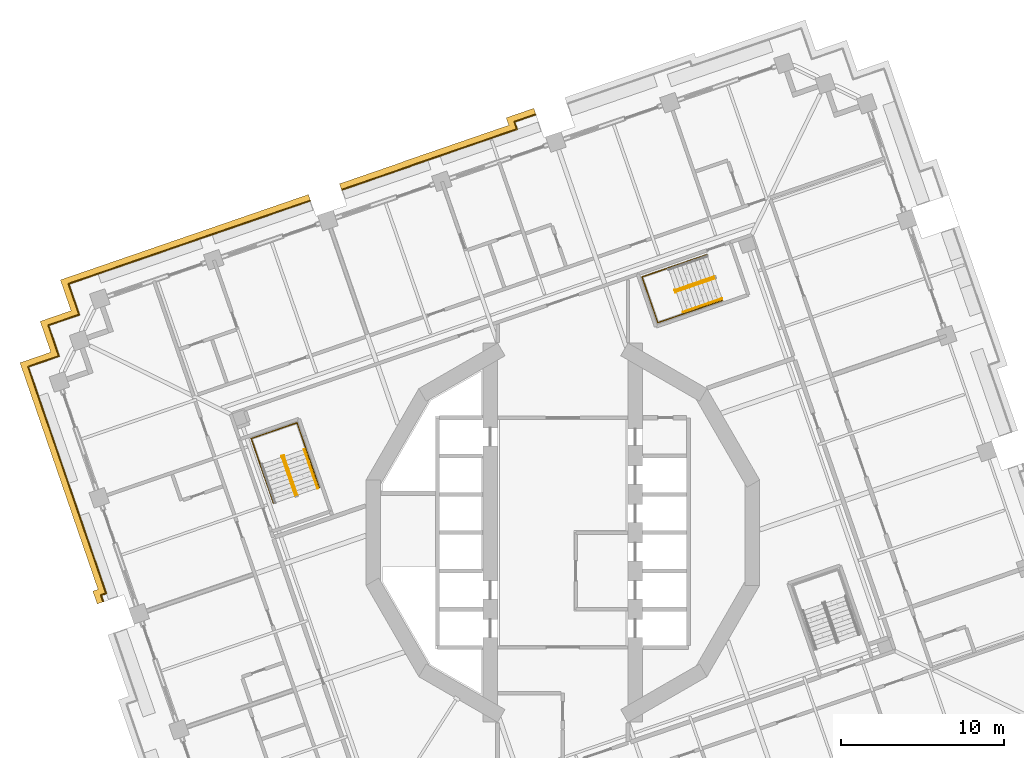
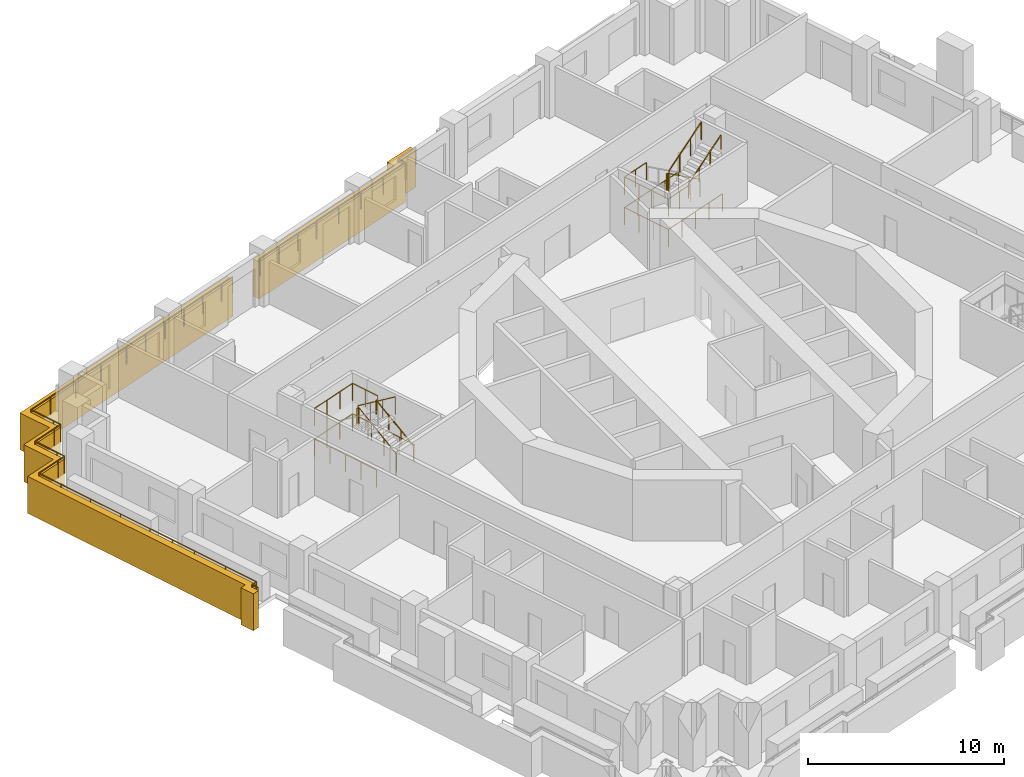
# One storey, part 16 of 19: 13 railings, 2 coverings.
"""IFC4 building model written with IfcOpenShell, lengths in metres."""

import ifcopenshell
import ifcopenshell.guid

model = None  # the IFC model being written
_history = None  # IfcOwnerHistory: only IFC2X3 demands one
_inside = {}  # id of a spatial element -> (the spatial element, [elements in it])
_under = {}  # id of a project, library or spatial element -> (it, [spatial elements below it])
_declared = {}  # id of a project -> (the project, [libraries it declares])
_typed = {}  # id of a type object -> (the type object, [elements of that type])
_made_of = {}  # id of a material, layer set ... -> (it, [elements and type objects made of it])


def new_model(schema):
    """Start an empty IFC model of exactly this schema.

    Asked for "IFC4X3", IfcOpenShell would pick the latest addendum, in which some entities
    have other attributes; the version numbers below select the first issue.
    IFC2X3 requires an IfcOwnerHistory on every rooted entity: one is made here for all.
    """
    global model, _history
    if schema == "IFC4X3":
        model = ifcopenshell.file(schema_version=(4, 3, 0, 0))
    else:
        model = ifcopenshell.file(schema=schema)
    _inside.clear()
    _under.clear()
    _declared.clear()
    _typed.clear()
    _made_of.clear()
    _history = None
    if model.schema == "IFC2X3":
        org = make("IfcOrganization", Name="unknown")
        user = make(
            "IfcPersonAndOrganization",
            ThePerson=make("IfcPerson", FamilyName="unknown"),
            TheOrganization=org,
        )
        app = make(
            "IfcApplication",
            ApplicationDeveloper=org,
            Version="unknown",
            ApplicationFullName="unknown",
            ApplicationIdentifier="unknown",
        )
        _history = make(
            "IfcOwnerHistory",
            OwningUser=user,
            OwningApplication=app,
            ChangeAction="ADDED",
            CreationDate=0,
        )
    return model


def make(cls, **values):
    """One entity of the class cls with the attributes given. An attribute that is None is left unset."""
    return model.create_entity(
        cls, **{name: value for name, value in values.items() if value is not None}
    )


def rooted(cls, **values):
    """An entity with a GlobalId (a new one), such as an element, a storey or a relation."""
    return make(cls, GlobalId=ifcopenshell.guid.new(), OwnerHistory=_history, **values)


def si_unit(unit_type, name, prefix=None):
    """IfcSIUnit, for example si_unit("LENGTHUNIT", "METRE", prefix="MILLI")."""
    return make("IfcSIUnit", UnitType=unit_type, Prefix=prefix, Name=name)


def assignment(units):
    """IfcUnitAssignment: the units of a project."""
    return None if units is None else make("IfcUnitAssignment", Units=units)


def point(xyz):
    """IfcCartesianPoint."""
    return None if xyz is None else make("IfcCartesianPoint", Coordinates=xyz)


def direction(xyz):
    """IfcDirection."""
    return None if xyz is None else make("IfcDirection", DirectionRatios=xyz)


def frame(location, z_axis=None, x_axis=None):
    """IfcAxis2Placement3D, a coordinate frame: its origin and axes. An axis left out is left unset."""
    return make(
        "IfcAxis2Placement3D",
        Location=point(location),
        Axis=direction(z_axis),
        RefDirection=direction(x_axis),
    )


def frame_2d(location, x_axis=None):
    """IfcAxis2Placement2D, a coordinate frame in the plane: its origin and x axis."""
    return make(
        "IfcAxis2Placement2D", Location=point(location), RefDirection=direction(x_axis)
    )


def origin():
    """The frame at (0, 0, 0) with its axes left unset."""
    return frame((0.0, 0.0, 0.0))


def origin_2d():
    """The frame at (0, 0) in the plane with its x axis left unset."""
    return frame_2d((0.0, 0.0))


def place(relative_to, where):
    """IfcLocalPlacement: puts the frame where relative to a parent placement (None: the world)."""
    return make(
        "IfcLocalPlacement", PlacementRelTo=relative_to, RelativePlacement=where
    )


def context(
    kind, dimensions, precision=None, world=None, true_north=None, identifier=None
):
    """IfcGeometricRepresentationContext, for example the 3D "Model" context."""
    return make(
        "IfcGeometricRepresentationContext",
        ContextIdentifier=identifier,
        ContextType=kind,
        CoordinateSpaceDimension=dimensions,
        Precision=precision,
        WorldCoordinateSystem=world,
        TrueNorth=true_north,
    )


def subcontext(parent, identifier, kind, view, scale=None):
    """IfcGeometricRepresentationSubContext, for example "Body" below "Model"."""
    return make(
        "IfcGeometricRepresentationSubContext",
        ContextIdentifier=identifier,
        ContextType=kind,
        ParentContext=parent,
        TargetScale=scale,
        TargetView=view,
    )


def project(units=None, contexts=None):
    """IfcProject with its units and contexts."""
    return rooted(
        "IfcProject",
        Name="project",
        RepresentationContexts=contexts,
        UnitsInContext=assignment(units),
    )


def spatial(cls, under=None, at=None, **own):
    """A site, building, storey or space (cls), placed at a placement, below another one or the project."""
    s = rooted(cls, ObjectPlacement=at, **own)
    if under is not None:
        _under.setdefault(under.id(), (under, []))[1].append(s)
    return s


def polyline(points):
    """IfcPolyline through the points."""
    return make("IfcPolyline", Points=[point(p) for p in points])


def profile(cls, at=None, kind="AREA", **sizes):
    """A parametric profile (cls). Its sizes go by their IFC names, for example OverallWidth=200.0."""
    return make(cls, ProfileType=kind, Position=at, **sizes)


def circle(**sizes):
    """IfcCircleProfileDef."""
    return profile("IfcCircleProfileDef", **sizes)


def outline(outer, holes=None, kind="AREA"):
    """IfcArbitraryClosedProfileDef: a profile drawn as a closed curve; with holes, ...WithVoids."""
    if holes is None:
        return make("IfcArbitraryClosedProfileDef", ProfileType=kind, OuterCurve=outer)
    return make(
        "IfcArbitraryProfileDefWithVoids",
        ProfileType=kind,
        OuterCurve=outer,
        InnerCurves=holes,
    )


def extrude(swept, where, along, depth):
    """IfcExtrudedAreaSolid: the profile swept, set in the frame where, extruded along a direction by depth."""
    return make(
        "IfcExtrudedAreaSolid",
        SweptArea=swept,
        Position=where,
        ExtrudedDirection=direction(along),
        Depth=depth,
    )


def shape(context_of_items, identifier, shape_type, items):
    """IfcShapeRepresentation: the items that make up one representation, for example the "Body"."""
    return make(
        "IfcShapeRepresentation",
        ContextOfItems=context_of_items,
        RepresentationIdentifier=identifier,
        RepresentationType=shape_type,
        Items=items,
    )


def material(Name=None, Category=None):
    """IfcMaterial."""
    return make("IfcMaterial", Name=Name, Category=Category)


def made_of(thing, what):
    """Note that an element or type object is made of a material, layer set ...; save() writes the relation."""
    if what is not None:
        _made_of.setdefault(what.id(), (what, []))[1].append(thing)
    return thing


def type_object(cls, material=None, **own):
    """A type object (cls), such as IfcWallType, which elements share."""
    return made_of(rooted(cls, **own), material)


def element(
    cls,
    number,
    at=None,
    inside=None,
    cuts=None,
    type_object=None,
    material=None,
    context=None,
    identifier="Body",
    shape_type=None,
    held_by="IfcProductDefinitionShape",
    body=None,
    shapes=None,
    **own,
):
    """One element of the class cls, such as IfcWall. Its Tag is "e" and its number.

    at: its placement. inside: the storey or other place that contains it. cuts: it is an
    opening in that element (IfcRelVoidsElement). A single representation is given by context,
    identifier, shape_type and body (its items); several are given by shapes. held_by: the class
    of the entity that holds the representations. save() writes the other relations.
    """
    e = rooted(cls, Tag="e%d" % number, ObjectPlacement=at, **own)
    if body is not None:
        shapes = [shape(context, identifier, shape_type, body)]
    if shapes is not None:
        e.Representation = make(held_by, Representations=shapes)
    if inside is not None:
        _inside.setdefault(inside.id(), (inside, []))[1].append(e)
    if cuts is not None:
        rooted(
            "IfcRelVoidsElement", RelatingBuildingElement=cuts, RelatedOpeningElement=e
        )
    if type_object is not None:
        _typed.setdefault(type_object.id(), (type_object, []))[1].append(e)
    return made_of(e, material)


def aggregate(whole, parts):
    """IfcRelAggregates: a whole, such as a stair, and the parts it consists of."""
    return rooted("IfcRelAggregates", RelatingObject=whole, RelatedObjects=parts)


def save(model, path):
    """Write the relations noted so far, then the file.

    IfcRelAggregates (storeys below a building ...), IfcRelContainedInSpatialStructure (elements
    in a storey), IfcRelDefinesByType, IfcRelAssociatesMaterial and IfcRelDeclares: one each for
    every whole, place, type object, material and project.
    """
    for whole, parts in _under.values():
        aggregate(whole, parts)
    for where, things in _inside.values():
        rooted(
            "IfcRelContainedInSpatialStructure",
            RelatedElements=things,
            RelatingStructure=where,
        )
    for kind, things in _typed.values():
        rooted("IfcRelDefinesByType", RelatedObjects=things, RelatingType=kind)
    for what, things in _made_of.values():
        rooted("IfcRelAssociatesMaterial", RelatedObjects=things, RelatingMaterial=what)
    for by, libraries in _declared.values():
        rooted("IfcRelDeclares", RelatingContext=by, RelatedDefinitions=libraries)
    model.write(path)


model = new_model("IFC4")

# Units and contexts
model_context = context("Model", 3, precision=1e-05, world=origin(), true_north=direction((0.0, 1.0)))
body_context = subcontext(model_context, "Body", "Model", "MODEL_VIEW")
ifc_project = project(units=[si_unit("LENGTHUNIT", "METRE"), si_unit("AREAUNIT", "SQUARE_METRE"), si_unit("VOLUMEUNIT", "CUBIC_METRE"), si_unit("PLANEANGLEUNIT", "RADIAN"), si_unit("MASSUNIT", "GRAM", prefix="KILO")], contexts=[model_context])

# Site, building, storey
site_placement = place(None, origin())
site = spatial("IfcSite", under=ifc_project, at=site_placement, CompositionType="ELEMENT")
building_placement = place(site_placement, origin())
building = spatial("IfcBuilding", under=site, at=building_placement, Name="Cantera Rosa Tower", CompositionType="ELEMENT")
storey_placement = place(building_placement, frame((0.0, 0.0, 111.699951171875)))
storey = spatial("IfcBuildingStorey", under=building, at=storey_placement, Name="L22", CompositionType="ELEMENT", Elevation=111.699951171875)

# Railings
ifc_material_1 = material(Name="Stainless steel and laminated glass", Category="steel")
railing_type_1 = type_object("IfcRailingType", Name="GUARD 1100", PredefinedType="BALUSTRADE", material=ifc_material_1)
railing_1_placement = place(storey_placement, frame((-29.6689453125, 13.369140625, 0.0)))
element("IfcRailing", 1, at=railing_1_placement, inside=storey, type_object=railing_type_1, Name="GUARD L22-7", PredefinedType="BALUSTRADE", context=body_context, shape_type="SweptSolid", body=[
    extrude(circle(Radius=0.030029296875, at=origin_2d()), frame((0.0, 0.0, 1.070068359375), z_axis=(-0.32573481536, 0.945461173218, 0.0), x_axis=(-0.945461173218, -0.32573481536, 0.0)), (0.0, 0.0, 1.0), 0.5),
    extrude(circle(Radius=0.030029296875, at=origin_2d()), frame((-0.162841796875, 0.47265625, 1.070068359375), z_axis=(-0.325489086777, 0.945545797087, 0.0), x_axis=(-0.945545797087, -0.325489086777, 0.0)), (0.0, 0.0, 1.0), 1.500244140625),
    extrude(circle(Radius=0.030029296875, at=origin_2d()), frame((-0.651123046875, 1.89111328125, 1.070068359375), z_axis=(0.945528551438, 0.325539181077, 0.0), x_axis=(-0.325539181077, 0.945528551438, 0.0)), (0.0, 0.0, 1.0), 1.5),
    extrude(circle(Radius=0.030029296875, at=origin_2d()), frame((0.76708984375, 2.37939453125, 1.070068359375), z_axis=(0.945517123015, 0.325572373037, 0.0), x_axis=(-0.325572373037, 0.945517123015, 0.0)), (0.0, 0.0, 1.0), 5.900146484375),
    extrude(circle(Radius=0.030029296875, at=origin_2d()), frame((6.345703125, 4.30029296875, 1.070068359375), z_axis=(0.945528551438, 0.325539181077, 0.0), x_axis=(-0.325539181077, 0.945528551438, 0.0)), (0.0, 0.0, 1.0), 2.999755859375),
    extrude(circle(Radius=0.030029296875, at=origin_2d()), frame((9.18212890625, 5.27685546875, 1.070068359375), z_axis=(0.945513227049, 0.325583687361, 0.0), x_axis=(-0.325583687361, 0.945513227049, 0.0)), (0.0, 0.0, 1.0), 4.400146484375),
    extrude(circle(Radius=0.030029296875, at=origin_2d()), frame((13.342529296875, 6.70947265625, 1.070068359375), z_axis=(0.945522007901, 0.325558186158, 0.0), x_axis=(-0.325558186158, 0.945522007901, 0.0)), (0.0, 0.0, 1.0), 0.869873046875),
    extrude(circle(Radius=0.02490234375, at=origin_2d()), origin(), (0.0, 0.0, 1.0), 1.0400390625),
    extrude(circle(Radius=0.02490234375, at=origin_2d()), frame((-0.162841796875, 0.47265625, 0.0)), (0.0, 0.0, 1.0), 1.0400390625),
    extrude(circle(Radius=0.02490234375, at=origin_2d()), frame((-0.651123046875, 1.89111328125, 0.0)), (0.0, 0.0, 1.0), 1.0400390625),
    extrude(circle(Radius=0.02490234375, at=origin_2d()), frame((0.76708984375, 2.37939453125, 0.0)), (0.0, 0.0, 1.0), 1.0400390625),
    extrude(circle(Radius=0.02490234375, at=origin_2d()), frame((2.626708984375, 3.019775390625, 0.0)), (0.0, 0.0, 1.0), 1.0400390625),
    extrude(circle(Radius=0.02490234375, at=origin_2d()), frame((4.486083984375, 3.659912109375, 0.0)), (0.0, 0.0, 1.0), 1.0400390625),
    extrude(circle(Radius=0.02490234375, at=origin_2d()), frame((6.345703125, 4.30029296875, 0.0)), (0.0, 0.0, 1.0), 1.0400390625),
    extrude(circle(Radius=0.02490234375, at=origin_2d()), frame((7.763916015625, 4.78857421875, 0.0)), (0.0, 0.0, 1.0), 1.0400390625),
    extrude(circle(Radius=0.02490234375, at=origin_2d()), frame((9.18212890625, 5.27685546875, 0.0)), (0.0, 0.0, 1.0), 1.0400390625),
    extrude(circle(Radius=0.02490234375, at=origin_2d()), frame((10.56884765625, 5.75439453125, 0.0)), (0.0, 0.0, 1.0), 1.0400390625),
    extrude(circle(Radius=0.02490234375, at=origin_2d()), frame((11.955810546875, 6.23193359375, 0.0)), (0.0, 0.0, 1.0), 1.0400390625),
    extrude(circle(Radius=0.02490234375, at=origin_2d()), frame((13.342529296875, 6.70947265625, 0.0)), (0.0, 0.0, 1.0), 1.0400390625),
    extrude(circle(Radius=0.02490234375, at=origin_2d()), frame((14.1650390625, 6.99267578125, 0.0)), (0.0, 0.0, 1.0), 1.0400390625),
])
railing_2_placement = place(storey_placement, frame((-28.19873046875, -4.220458984375, 0.0)))
element("IfcRailing", 2, at=railing_2_placement, inside=storey, type_object=railing_type_1, Name="GUARD L22-8", PredefinedType="BALUSTRADE", context=body_context, shape_type="SweptSolid", body=[
    extrude(circle(Radius=0.030029296875, at=origin_2d()), frame((0.0, 0.0, 1.070068359375), z_axis=(-0.325583372222, 0.945513335566, 0.0), x_axis=(-0.945513335566, -0.325583372222, 0.0)), (0.0, 0.0, 1.0), 0.406494140625),
    extrude(circle(Radius=0.030029296875, at=origin_2d()), frame((-0.13232421875, 0.38427734375, 1.070068359375), z_axis=(0.945442357657, 0.325789423322, 0.0), x_axis=(-0.325789423322, 0.945442357657, 0.0)), (0.0, 0.0, 1.0), 0.33642578125),
    extrude(circle(Radius=0.030029296875, at=origin_2d()), frame((0.185791015625, 0.493896484375, 1.070068359375), z_axis=(-0.325578798078, 0.94551491064, 0.0), x_axis=(-0.94551491064, -0.325578798078, 0.0)), (0.0, 0.0, 1.0), 4.18359375),
    extrude(circle(Radius=0.030029296875, at=origin_2d()), frame((-1.17626953125, 4.449462890625, 1.070068359375), z_axis=(-0.325539181077, 0.945528551438, 0.0), x_axis=(-0.945528551438, -0.325539181077, 0.0)), (0.0, 0.0, 1.0), 2.999755859375),
    extrude(circle(Radius=0.030029296875, at=origin_2d()), frame((-2.15283203125, 7.285888671875, 1.070068359375), z_axis=(-0.325568215952, 0.945518554425, 0.0), x_axis=(-0.945518554425, -0.325568215952, 0.0)), (0.0, 0.0, 1.0), 6.02001953125),
    extrude(circle(Radius=0.030029296875, at=origin_2d()), frame((-4.11279296875, 12.97802734375, 1.070068359375), z_axis=(-0.325539181077, 0.945528551438, 0.0), x_axis=(-0.945528551438, -0.325539181077, 0.0)), (0.0, 0.0, 1.0), 1.5),
    extrude(circle(Radius=0.030029296875, at=origin_2d()), frame((-4.60107421875, 14.396240234375, 1.070068359375), z_axis=(0.945528551438, 0.325539181077, 0.0), x_axis=(-0.325539181077, 0.945528551438, 0.0)), (0.0, 0.0, 1.0), 1.5),
    extrude(circle(Radius=0.030029296875, at=origin_2d()), frame((-3.182861328125, 14.884521484375, 1.070068359375), z_axis=(0.945461173218, 0.32573481536, 0.0), x_axis=(-0.32573481536, 0.945461173218, 0.0)), (0.0, 0.0, 1.0), 0.5),
    extrude(circle(Radius=0.030029296875, at=origin_2d()), frame((-2.710205078125, 15.04736328125, 1.070068359375), z_axis=(-0.325147989177, 0.945663145699, 0.0), x_axis=(-0.945663145699, -0.325147989177, 0.0)), (0.0, 0.0, 1.0), 0.5),
    extrude(circle(Radius=0.030029296875, at=origin_2d()), frame((-2.872802734375, 15.520263671875, 1.070068359375), z_axis=(-0.325684689469, 0.945478441343, 0.0), x_axis=(-0.945478441343, -0.325684689469, 0.0)), (0.0, 0.0, 1.0), 1.5),
    extrude(circle(Radius=0.030029296875, at=origin_2d()), frame((-3.361328125, 16.9384765625, 1.070068359375), z_axis=(0.945545797087, 0.325489086777, 0.0), x_axis=(-0.325489086777, 0.945545797087, 0.0)), (0.0, 0.0, 1.0), 1.500244140625),
    extrude(circle(Radius=0.030029296875, at=origin_2d()), frame((-1.94287109375, 17.4267578125, 1.070068359375), z_axis=(0.945461173218, 0.32573481536, 0.0), x_axis=(-0.32573481536, 0.945461173218, 0.0)), (0.0, 0.0, 1.0), 0.5),
    extrude(circle(Radius=0.02490234375, at=origin_2d()), origin(), (0.0, 0.0, 1.0), 1.0400390625),
    extrude(circle(Radius=0.02490234375, at=origin_2d()), frame((-0.13232421875, 0.38427734375, 0.0)), (0.0, 0.0, 1.0), 1.0400390625),
    extrude(circle(Radius=0.02490234375, at=origin_2d()), frame((0.185791015625, 0.493896484375, 0.0)), (0.0, 0.0, 1.0), 1.0400390625),
    extrude(circle(Radius=0.02490234375, at=origin_2d()), frame((-0.4951171875, 2.4716796875, 0.0)), (0.0, 0.0, 1.0), 1.0400390625),
    extrude(circle(Radius=0.02490234375, at=origin_2d()), frame((-1.17626953125, 4.449462890625, 0.0)), (0.0, 0.0, 1.0), 1.0400390625),
    extrude(circle(Radius=0.02490234375, at=origin_2d()), frame((-1.66455078125, 5.86767578125, 0.0)), (0.0, 0.0, 1.0), 1.0400390625),
    extrude(circle(Radius=0.02490234375, at=origin_2d()), frame((-2.15283203125, 7.285888671875, 0.0)), (0.0, 0.0, 1.0), 1.0400390625),
    extrude(circle(Radius=0.02490234375, at=origin_2d()), frame((-2.80615234375, 9.183349609375, 0.0)), (0.0, 0.0, 1.0), 1.0400390625),
    extrude(circle(Radius=0.02490234375, at=origin_2d()), frame((-3.45947265625, 11.08056640625, 0.0)), (0.0, 0.0, 1.0), 1.0400390625),
    extrude(circle(Radius=0.02490234375, at=origin_2d()), frame((-4.11279296875, 12.97802734375, 0.0)), (0.0, 0.0, 1.0), 1.0400390625),
    extrude(circle(Radius=0.02490234375, at=origin_2d()), frame((-4.60107421875, 14.396240234375, 0.0)), (0.0, 0.0, 1.0), 1.0400390625),
    extrude(circle(Radius=0.02490234375, at=origin_2d()), frame((-3.182861328125, 14.884521484375, 0.0)), (0.0, 0.0, 1.0), 1.0400390625),
    extrude(circle(Radius=0.02490234375, at=origin_2d()), frame((-2.710205078125, 15.04736328125, 0.0)), (0.0, 0.0, 1.0), 1.0400390625),
    extrude(circle(Radius=0.02490234375, at=origin_2d()), frame((-2.872802734375, 15.520263671875, 0.0)), (0.0, 0.0, 1.0), 1.0400390625),
    extrude(circle(Radius=0.02490234375, at=origin_2d()), frame((-3.361328125, 16.9384765625, 0.0)), (0.0, 0.0, 1.0), 1.0400390625),
    extrude(circle(Radius=0.02490234375, at=origin_2d()), frame((-1.94287109375, 17.4267578125, 0.0)), (0.0, 0.0, 1.0), 1.0400390625),
    extrude(circle(Radius=0.02490234375, at=origin_2d()), frame((-1.47021484375, 17.589599609375, 0.0)), (0.0, 0.0, 1.0), 1.0400390625),
])
railing_3_placement = place(storey_placement, frame((-13.55615234375, 21.032470703125, 0.0)))
element("IfcRailing", 3, at=railing_3_placement, inside=storey, type_object=railing_type_1, Name="GUARD L22-9", PredefinedType="BALUSTRADE", context=body_context, shape_type="SweptSolid", body=[
    extrude(circle(Radius=0.030029296875, at=origin_2d()), frame((0.0, 0.0, 1.070068359375), z_axis=(0.946220044844, 0.323523765333, 0.0), x_axis=(-0.323523765333, 0.946220044844, 0.0)), (0.0, 0.0, 1.0), 0.070068359375),
    extrude(circle(Radius=0.030029296875, at=origin_2d()), frame((0.06640625, 0.022705078125, 1.070068359375), z_axis=(0.945513705783, 0.325582297087, 0.0), x_axis=(-0.325582297087, 0.945513705783, 0.0)), (0.0, 0.0, 1.0), 4.38525390625),
    extrude(circle(Radius=0.030029296875, at=origin_2d()), frame((4.212646484375, 1.450439453125, 1.070068359375), z_axis=(-0.331087713029, 0.943599982133, 0.0), x_axis=(-0.943599982133, -0.331087713029, 0.0)), (0.0, 0.0, 1.0), 0.0146484375),
    extrude(circle(Radius=0.030029296875, at=origin_2d()), frame((4.207763671875, 1.46435546875, 1.070068359375), z_axis=(0.945519949949, 0.32556416303, 0.0), x_axis=(-0.32556416303, 0.945519949949, 0.0)), (0.0, 0.0, 1.0), 6.91552734375),
    extrude(circle(Radius=0.030029296875, at=origin_2d()), frame((10.74658203125, 3.7158203125, 1.070068359375), z_axis=(-0.325586807373, 0.94551215268, 0.0), x_axis=(-0.94551215268, -0.325586807373, 0.0)), (0.0, 0.0, 1.0), 0.484375),
    extrude(circle(Radius=0.030029296875, at=origin_2d()), frame((10.5888671875, 4.173828125, 1.070068359375), z_axis=(0.94551689242, 0.325573042723, 0.0), x_axis=(-0.325573042723, 0.94551689242, 0.0)), (0.0, 0.0, 1.0), 1.369384765625),
    extrude(circle(Radius=0.02490234375, at=origin_2d()), origin(), (0.0, 0.0, 1.0), 1.0400390625),
    extrude(circle(Radius=0.02490234375, at=origin_2d()), frame((0.06640625, 0.022705078125, 0.0)), (0.0, 0.0, 1.0), 1.0400390625),
    extrude(circle(Radius=0.02490234375, at=origin_2d()), frame((1.448486328125, 0.49853515625, 0.0)), (0.0, 0.0, 1.0), 1.0400390625),
    extrude(circle(Radius=0.02490234375, at=origin_2d()), frame((2.83056640625, 0.974609375, 0.0)), (0.0, 0.0, 1.0), 1.0400390625),
    extrude(circle(Radius=0.02490234375, at=origin_2d()), frame((4.212646484375, 1.450439453125, 0.0)), (0.0, 0.0, 1.0), 1.0400390625),
    extrude(circle(Radius=0.02490234375, at=origin_2d()), frame((4.207763671875, 1.46435546875, 0.0)), (0.0, 0.0, 1.0), 1.0400390625),
    extrude(circle(Radius=0.02490234375, at=origin_2d()), frame((5.842529296875, 2.02734375, 0.0)), (0.0, 0.0, 1.0), 1.0400390625),
    extrude(circle(Radius=0.02490234375, at=origin_2d()), frame((7.47705078125, 2.590087890625, 0.0)), (0.0, 0.0, 1.0), 1.0400390625),
    extrude(circle(Radius=0.02490234375, at=origin_2d()), frame((9.11181640625, 3.15283203125, 0.0)), (0.0, 0.0, 1.0), 1.0400390625),
    extrude(circle(Radius=0.02490234375, at=origin_2d()), frame((10.74658203125, 3.7158203125, 0.0)), (0.0, 0.0, 1.0), 1.0400390625),
    extrude(circle(Radius=0.02490234375, at=origin_2d()), frame((10.5888671875, 4.173828125, 0.0)), (0.0, 0.0, 1.0), 1.0400390625),
    extrude(circle(Radius=0.02490234375, at=origin_2d()), frame((11.883544921875, 4.61962890625, 0.0)), (0.0, 0.0, 1.0), 1.0400390625),
])
ifc_material_2 = material(Name="Steel S355J2 (EN 10025-2)", Category="steel")
railing_type_2 = type_object("IfcRailingType", Name="STAIR GUARD 1100", PredefinedType="GUARDRAIL", material=ifc_material_2)
railing_4_placement = place(storey_placement, frame((9.307861328125, 15.7021484375, 0.18994140625)))
element("IfcRailing", 4, at=railing_4_placement, inside=storey, type_object=railing_type_2, Name="L22 ST-21 stair guard 1", PredefinedType="GUARDRAIL", context=body_context, shape_type="SweptSolid", body=[
    extrude(circle(Radius=0.02392578125, at=origin_2d()), frame((0.0, 0.0, 1.076171875), z_axis=(-0.782368949847, -0.269420291028, 0.561526075172), x_axis=(0.325599548996, -0.94550776501, 0.0)), (0.0, 0.0, 1.0), 3.045654296875),
    extrude(circle(Radius=0.02392578125, at=origin_2d()), frame((-2.3828125, -0.820556640625, 2.7861328125), z_axis=(-0.989063265047, 0.147491890402, 0.0), x_axis=(-0.147491890402, -0.989063265047, 0.0)), (0.0, 0.0, 1.0), 0.056396484375),
    extrude(circle(Radius=0.02392578125, at=origin_2d()), frame((-2.4384765625, -0.812255859375, 2.7861328125), z_axis=(0.325990683319, -0.945372981626, 0.0), x_axis=(0.945372981626, 0.325990683319, 0.0)), (0.0, 0.0, 1.0), 0.14990234375),
    extrude(circle(Radius=0.02099609375, at=origin_2d()), origin(), (0.0, 0.0, 1.0), 1.052001953125),
    extrude(circle(Radius=0.02099609375, at=origin_2d()), frame((-0.794189453125, -0.2734375, 0.570068359375)), (0.0, 0.0, 1.0), 1.052001953125),
    extrude(circle(Radius=0.02099609375, at=origin_2d()), frame((-1.588623046875, -0.547119140625, 1.14013671875)), (0.0, 0.0, 1.0), 1.052001953125),
    extrude(circle(Radius=0.02099609375, at=origin_2d()), frame((-2.3828125, -0.820556640625, 1.710205078125)), (0.0, 0.0, 1.0), 1.052001953125),
    extrude(circle(Radius=0.02099609375, at=origin_2d()), frame((-2.4384765625, -0.812255859375, 1.710205078125)), (0.0, 0.0, 1.0), 1.052001953125),
    extrude(circle(Radius=0.02099609375, at=origin_2d()), frame((-2.3896484375, -0.953857421875, 1.710205078125)), (0.0, 0.0, 1.0), 1.052001953125),
])
railing_5_placement = place(storey_placement, frame((6.95703125, 14.7890625, 2.090087890625)))
element("IfcRailing", 5, at=railing_5_placement, inside=storey, type_object=railing_type_2, Name="L22 ST-21 stair guard 2", PredefinedType="GUARDRAIL", context=body_context, shape_type="SweptSolid", body=[
    extrude(circle(Radius=0.02392578125, at=origin_2d()), frame((0.0, 0.0, 1.076171875), z_axis=(0.782389970342, 0.269374966733, 0.561518531845), x_axis=(-0.325542759796, 0.945527319301, 0.0)), (0.0, 0.0, 1.0), 3.045166015625),
    extrude(circle(Radius=0.02099609375, at=origin_2d()), origin(), (0.0, 0.0, 1.0), 1.052001953125),
    extrude(circle(Radius=0.02099609375, at=origin_2d()), frame((0.794189453125, 0.2734375, 0.570068359375)), (0.0, 0.0, 1.0), 1.052001953125),
    extrude(circle(Radius=0.02099609375, at=origin_2d()), frame((1.58837890625, 0.546875, 1.139892578125)), (0.0, 0.0, 1.0), 1.052001953125),
    extrude(circle(Radius=0.02099609375, at=origin_2d()), frame((2.382568359375, 0.8203125, 1.7099609375)), (0.0, 0.0, 1.0), 1.052001953125),
])
railing_6_placement = place(storey_placement, frame((8.828857421875, 17.055908203125, 0.0)))
element("IfcRailing", 6, at=railing_6_placement, inside=storey, type_object=railing_type_2, Name="L22 ST-21 stair guard 4", PredefinedType="GUARDRAIL", context=body_context, shape_type="SweptSolid", body=[
    extrude(circle(Radius=0.02392578125, at=origin_2d()), frame((0.0, 0.0, 1.076171875), z_axis=(-0.945519978022, -0.325564081496, 0.0), x_axis=(0.325564081496, -0.945519978022, 0.0)), (0.0, 0.0, 1.0), 4.197998046875),
    extrude(circle(Radius=0.02392578125, at=origin_2d()), frame((-3.96923828125, -1.36669921875, 1.076171875), z_axis=(0.325608117645, -0.945504814226, 0.0), x_axis=(0.945504814226, 0.325608117645, 0.0)), (0.0, 0.0, 1.0), 2.969970703125),
    extrude(circle(Radius=0.02392578125, at=origin_2d()), frame((-3.002197265625, -4.1748046875, 1.076171875), z_axis=(0.945519978022, 0.325564081496, 0.0), x_axis=(-0.325564081496, 0.945519978022, 0.0)), (0.0, 0.0, 1.0), 4.197998046875),
    extrude(circle(Radius=0.02099609375, at=origin_2d()), origin(), (0.0, 0.0, 1.0), 1.052001953125),
    extrude(circle(Radius=0.02099609375, at=origin_2d()), frame((-0.9921875, -0.341796875, 0.0)), (0.0, 0.0, 1.0), 1.052001953125),
    extrude(circle(Radius=0.02099609375, at=origin_2d()), frame((-1.984619140625, -0.683349609375, 0.0)), (0.0, 0.0, 1.0), 1.052001953125),
    extrude(circle(Radius=0.02099609375, at=origin_2d()), frame((-2.97705078125, -1.02490234375, 0.0)), (0.0, 0.0, 1.0), 1.052001953125),
    extrude(circle(Radius=0.02099609375, at=origin_2d()), frame((-3.96923828125, -1.36669921875, 0.0)), (0.0, 0.0, 1.0), 1.052001953125),
    extrude(circle(Radius=0.02099609375, at=origin_2d()), frame((-3.64697265625, -2.302734375, 0.0)), (0.0, 0.0, 1.0), 1.052001953125),
    extrude(circle(Radius=0.02099609375, at=origin_2d()), frame((-3.324462890625, -3.23876953125, 0.0)), (0.0, 0.0, 1.0), 1.052001953125),
    extrude(circle(Radius=0.02099609375, at=origin_2d()), frame((-3.002197265625, -4.1748046875, 0.0)), (0.0, 0.0, 1.0), 1.052001953125),
    extrude(circle(Radius=0.02099609375, at=origin_2d()), frame((-2.009765625, -3.8330078125, 0.0)), (0.0, 0.0, 1.0), 1.052001953125),
    extrude(circle(Radius=0.02099609375, at=origin_2d()), frame((-1.017578125, -3.491455078125, 0.0)), (0.0, 0.0, 1.0), 1.052001953125),
    extrude(circle(Radius=0.02099609375, at=origin_2d()), frame((-0.025390625, -3.14990234375, 0.0)), (0.0, 0.0, 1.0), 1.052001953125),
    extrude(circle(Radius=0.02099609375, at=origin_2d()), frame((0.967041015625, -2.80810546875, 0.0)), (0.0, 0.0, 1.0), 1.052001953125),
])
railing_7_placement = place(storey_placement, frame((6.468994140625, 16.243408203125, 1.900146484375)))
element("IfcRailing", 7, at=railing_7_placement, inside=storey, type_object=railing_type_2, Name="L22 ST-21 stair guard 5", PredefinedType="GUARDRAIL", context=body_context, shape_type="SweptSolid", body=[
    extrude(circle(Radius=0.02392578125, at=origin_2d()), frame((0.0, 0.0, 1.076171875), z_axis=(-0.94551008141, -0.32559282233, 0.0), x_axis=(0.32559282233, -0.94551008141, 0.0)), (0.0, 0.0, 1.0), 1.7021484375),
    extrude(circle(Radius=0.02392578125, at=origin_2d()), frame((-1.609375, -0.55419921875, 1.076171875), z_axis=(0.325608117645, -0.945504814226, 0.0), x_axis=(0.945504814226, 0.325608117645, 0.0)), (0.0, 0.0, 1.0), 2.969970703125),
    extrude(circle(Radius=0.02392578125, at=origin_2d()), frame((-0.642333984375, -3.3623046875, 1.076171875), z_axis=(0.945539033546, 0.325508734201, 0.0), x_axis=(-0.325508734201, 0.945539033546, 0.0)), (0.0, 0.0, 1.0), 1.701904296875),
    extrude(circle(Radius=0.02099609375, at=origin_2d()), origin(), (0.0, 0.0, 1.0), 1.052001953125),
    extrude(circle(Radius=0.02099609375, at=origin_2d()), frame((-0.8046875, -0.277099609375, 0.0)), (0.0, 0.0, 1.0), 1.052001953125),
    extrude(circle(Radius=0.02099609375, at=origin_2d()), frame((-1.609375, -0.55419921875, 0.0)), (0.0, 0.0, 1.0), 1.052001953125),
    extrude(circle(Radius=0.02099609375, at=origin_2d()), frame((-1.287109375, -1.490234375, 0.0)), (0.0, 0.0, 1.0), 1.052001953125),
    extrude(circle(Radius=0.02099609375, at=origin_2d()), frame((-0.964599609375, -2.42626953125, 0.0)), (0.0, 0.0, 1.0), 1.052001953125),
    extrude(circle(Radius=0.02099609375, at=origin_2d()), frame((-0.642333984375, -3.3623046875, 0.0)), (0.0, 0.0, 1.0), 1.052001953125),
    extrude(circle(Radius=0.02099609375, at=origin_2d()), frame((0.162109375, -3.08544921875, 0.0)), (0.0, 0.0, 1.0), 1.052001953125),
    extrude(circle(Radius=0.02099609375, at=origin_2d()), frame((0.966796875, -2.808349609375, 0.0)), (0.0, 0.0, 1.0), 1.052001953125),
])
railing_8_placement = place(storey_placement, frame((-16.2978515625, 2.292236328125, 0.18994140625)))
element("IfcRailing", 8, at=railing_8_placement, inside=storey, type_object=railing_type_2, Name="L22 ST-22 stair guard 1", PredefinedType="GUARDRAIL", context=body_context, shape_type="SweptSolid", body=[
    extrude(circle(Radius=0.02392578125, at=origin_2d()), frame((0.0, 0.0, 1.076171875), z_axis=(-0.269420291028, 0.782368949847, 0.561526075172), x_axis=(-0.94550776501, -0.325599548996, 0.0)), (0.0, 0.0, 1.0), 3.045654296875),
    extrude(circle(Radius=0.02392578125, at=origin_2d()), frame((-0.820556640625, 2.3828125, 2.7861328125), z_axis=(0.147491890402, 0.989063265047, 0.0), x_axis=(-0.989063265047, 0.147491890402, 0.0)), (0.0, 0.0, 1.0), 0.056396484375),
    extrude(circle(Radius=0.02392578125, at=origin_2d()), frame((-0.812255859375, 2.4384765625, 2.7861328125), z_axis=(-0.945372981626, -0.325990683319, 0.0), x_axis=(0.325990683319, -0.945372981626, 0.0)), (0.0, 0.0, 1.0), 0.14990234375),
    extrude(circle(Radius=0.02099609375, at=origin_2d()), origin(), (0.0, 0.0, 1.0), 1.052001953125),
    extrude(circle(Radius=0.02099609375, at=origin_2d()), frame((-0.2734375, 0.794189453125, 0.570068359375)), (0.0, 0.0, 1.0), 1.052001953125),
    extrude(circle(Radius=0.02099609375, at=origin_2d()), frame((-0.547119140625, 1.588623046875, 1.14013671875)), (0.0, 0.0, 1.0), 1.052001953125),
    extrude(circle(Radius=0.02099609375, at=origin_2d()), frame((-0.820556640625, 2.3828125, 1.710205078125)), (0.0, 0.0, 1.0), 1.052001953125),
    extrude(circle(Radius=0.02099609375, at=origin_2d()), frame((-0.812255859375, 2.4384765625, 1.710205078125)), (0.0, 0.0, 1.0), 1.052001953125),
    extrude(circle(Radius=0.02099609375, at=origin_2d()), frame((-0.953857421875, 2.3896484375, 1.710205078125)), (0.0, 0.0, 1.0), 1.052001953125),
])
railing_9_placement = place(storey_placement, frame((-17.2109375, 4.64306640625, 2.090087890625)))
element("IfcRailing", 9, at=railing_9_placement, inside=storey, type_object=railing_type_2, Name="L22 ST-22 stair guard 2", PredefinedType="GUARDRAIL", context=body_context, shape_type="SweptSolid", body=[
    extrude(circle(Radius=0.02392578125, at=origin_2d()), frame((0.0, 0.0, 1.076171875), z_axis=(0.269358070891, -0.782421063063, 0.561483312059), x_axis=(0.945537585866, 0.325512939397, 0.0)), (0.0, 0.0, 1.0), 3.04541015625),
    extrude(circle(Radius=0.02099609375, at=origin_2d()), origin(), (0.0, 0.0, 1.0), 1.052001953125),
    extrude(circle(Radius=0.02099609375, at=origin_2d()), frame((0.2734375, -0.794189453125, 0.570068359375)), (0.0, 0.0, 1.0), 1.052001953125),
    extrude(circle(Radius=0.02099609375, at=origin_2d()), frame((0.546875, -1.588623046875, 1.139892578125)), (0.0, 0.0, 1.0), 1.052001953125),
    extrude(circle(Radius=0.02099609375, at=origin_2d()), frame((0.8203125, -2.3828125, 1.7099609375)), (0.0, 0.0, 1.0), 1.052001953125),
])
railing_10_placement = place(storey_placement, frame((-14.944091796875, 2.77099609375, 0.0)))
element("IfcRailing", 10, at=railing_10_placement, inside=storey, type_object=railing_type_2, Name="L22 ST-22 stair guard 4", PredefinedType="GUARDRAIL", context=body_context, shape_type="SweptSolid", body=[
    extrude(circle(Radius=0.02392578125, at=origin_2d()), frame((0.0, 0.0, 1.076171875), z_axis=(-0.325546180042, 0.945526141712, 0.0), x_axis=(-0.945526141712, -0.325546180042, 0.0)), (0.0, 0.0, 1.0), 4.1982421875),
    extrude(circle(Radius=0.02392578125, at=origin_2d()), frame((-1.36669921875, 3.969482421875, 1.076171875), z_axis=(-0.945504814226, -0.325608117645, 0.0), x_axis=(0.325608117645, -0.945504814226, 0.0)), (0.0, 0.0, 1.0), 2.969970703125),
    extrude(circle(Radius=0.02392578125, at=origin_2d()), frame((-4.1748046875, 3.00244140625, 1.076171875), z_axis=(0.325564081496, -0.945519978022, 0.0), x_axis=(0.945519978022, 0.325564081496, 0.0)), (0.0, 0.0, 1.0), 4.197998046875),
    extrude(circle(Radius=0.02099609375, at=origin_2d()), origin(), (0.0, 0.0, 1.0), 1.052001953125),
    extrude(circle(Radius=0.02099609375, at=origin_2d()), frame((-0.341796875, 0.992431640625, 0.0)), (0.0, 0.0, 1.0), 1.052001953125),
    extrude(circle(Radius=0.02099609375, at=origin_2d()), frame((-0.683349609375, 1.98486328125, 0.0)), (0.0, 0.0, 1.0), 1.052001953125),
    extrude(circle(Radius=0.02099609375, at=origin_2d()), frame((-1.02490234375, 2.97705078125, 0.0)), (0.0, 0.0, 1.0), 1.052001953125),
    extrude(circle(Radius=0.02099609375, at=origin_2d()), frame((-1.36669921875, 3.969482421875, 0.0)), (0.0, 0.0, 1.0), 1.052001953125),
    extrude(circle(Radius=0.02099609375, at=origin_2d()), frame((-2.302734375, 3.647216796875, 0.0)), (0.0, 0.0, 1.0), 1.052001953125),
    extrude(circle(Radius=0.02099609375, at=origin_2d()), frame((-3.23876953125, 3.32470703125, 0.0)), (0.0, 0.0, 1.0), 1.052001953125),
    extrude(circle(Radius=0.02099609375, at=origin_2d()), frame((-4.1748046875, 3.00244140625, 0.0)), (0.0, 0.0, 1.0), 1.052001953125),
    extrude(circle(Radius=0.02099609375, at=origin_2d()), frame((-3.8330078125, 2.01025390625, 0.0)), (0.0, 0.0, 1.0), 1.052001953125),
    extrude(circle(Radius=0.02099609375, at=origin_2d()), frame((-3.491455078125, 1.017822265625, 0.0)), (0.0, 0.0, 1.0), 1.052001953125),
    extrude(circle(Radius=0.02099609375, at=origin_2d()), frame((-3.14990234375, 0.025390625, 0.0)), (0.0, 0.0, 1.0), 1.052001953125),
    extrude(circle(Radius=0.02099609375, at=origin_2d()), frame((-2.80810546875, -0.966796875, 0.0)), (0.0, 0.0, 1.0), 1.052001953125),
])
railing_11_placement = place(storey_placement, frame((-15.756591796875, 5.131103515625, 1.900146484375)))
element("IfcRailing", 11, at=railing_11_placement, inside=storey, type_object=railing_type_2, Name="L22 ST-22 stair guard 5", PredefinedType="GUARDRAIL", context=body_context, shape_type="SweptSolid", body=[
    extrude(circle(Radius=0.02392578125, at=origin_2d()), frame((0.0, 0.0, 1.076171875), z_axis=(-0.32559282233, 0.94551008141, 0.0), x_axis=(-0.94551008141, -0.32559282233, 0.0)), (0.0, 0.0, 1.0), 1.7021484375),
    extrude(circle(Radius=0.02392578125, at=origin_2d()), frame((-0.55419921875, 1.609375, 1.076171875), z_axis=(-0.945504814226, -0.325608117645, 0.0), x_axis=(0.325608117645, -0.945504814226, 0.0)), (0.0, 0.0, 1.0), 2.969970703125),
    extrude(circle(Radius=0.02392578125, at=origin_2d()), frame((-3.3623046875, 0.642333984375, 1.076171875), z_axis=(0.325464585813, -0.945554230799, 0.0), x_axis=(0.945554230799, 0.325464585813, 0.0)), (0.0, 0.0, 1.0), 1.7021484375),
    extrude(circle(Radius=0.02099609375, at=origin_2d()), origin(), (0.0, 0.0, 1.0), 1.052001953125),
    extrude(circle(Radius=0.02099609375, at=origin_2d()), frame((-0.277099609375, 0.8046875, 0.0)), (0.0, 0.0, 1.0), 1.052001953125),
    extrude(circle(Radius=0.02099609375, at=origin_2d()), frame((-0.55419921875, 1.609375, 0.0)), (0.0, 0.0, 1.0), 1.052001953125),
    extrude(circle(Radius=0.02099609375, at=origin_2d()), frame((-1.490234375, 1.287109375, 0.0)), (0.0, 0.0, 1.0), 1.052001953125),
    extrude(circle(Radius=0.02099609375, at=origin_2d()), frame((-2.42626953125, 0.964599609375, 0.0)), (0.0, 0.0, 1.0), 1.052001953125),
    extrude(circle(Radius=0.02099609375, at=origin_2d()), frame((-3.3623046875, 0.642333984375, 0.0)), (0.0, 0.0, 1.0), 1.052001953125),
    extrude(circle(Radius=0.02099609375, at=origin_2d()), frame((-3.08544921875, -0.162353515625, 0.0)), (0.0, 0.0, 1.0), 1.052001953125),
    extrude(circle(Radius=0.02099609375, at=origin_2d()), frame((-2.808349609375, -0.967041015625, 0.0)), (0.0, 0.0, 1.0), 1.052001953125),
])
ifc_material_3 = material(Name="Steel S355J2 (EN 10025-2)", Category="steel")
railing_type_3 = type_object("IfcRailingType", Name="STAIR HANDRAIL 900", PredefinedType="HANDRAIL", material=ifc_material_3)
railing_12_placement = place(storey_placement, frame((7.388671875, 13.53515625, 2.090087890625)))
element("IfcRailing", 12, at=railing_12_placement, inside=storey, type_object=railing_type_3, Name="L22 ST-21 stair handrail 2", PredefinedType="HANDRAIL", context=body_context, shape_type="SweptSolid", body=[
    extrude(circle(Radius=0.02392578125, at=origin_2d()), frame((0.0, 0.0, 0.8759765625), z_axis=(0.782404165978, 0.269432418223, 0.561471186323), x_axis=(-0.325599548996, 0.94550776501, 0.0)), (0.0, 0.0, 1.0), 3.04541015625),
    extrude(circle(Radius=0.02099609375, at=origin_2d()), origin(), (0.0, 0.0, 1.0), 0.851806640625),
    extrude(circle(Radius=0.02099609375, at=origin_2d()), frame((0.794189453125, 0.2734375, 0.570068359375)), (0.0, 0.0, 1.0), 0.851806640625),
    extrude(circle(Radius=0.02099609375, at=origin_2d()), frame((1.588623046875, 0.547119140625, 1.139892578125)), (0.0, 0.0, 1.0), 0.851806640625),
    extrude(circle(Radius=0.02099609375, at=origin_2d()), frame((2.3828125, 0.820556640625, 1.7099609375)), (0.0, 0.0, 1.0), 0.851806640625),
])
railing_13_placement = place(storey_placement, frame((-15.044189453125, 2.723876953125, 0.18994140625)))
element("IfcRailing", 13, at=railing_13_placement, inside=storey, type_object=railing_type_3, Name="L22 ST-22 stair handrail 1", PredefinedType="HANDRAIL", context=body_context, shape_type="SweptSolid", body=[
    extrude(circle(Radius=0.02392578125, at=origin_2d()), frame((0.0, 0.0, 0.8759765625), z_axis=(-0.269345946519, 0.782385844651, 0.561538201002), x_axis=(-0.945537585866, -0.325512939397, 0.0)), (0.0, 0.0, 1.0), 3.045654296875),
    extrude(circle(Radius=0.02099609375, at=origin_2d()), origin(), (0.0, 0.0, 1.0), 0.851806640625),
    extrude(circle(Radius=0.02099609375, at=origin_2d()), frame((-0.2734375, 0.794189453125, 0.570068359375)), (0.0, 0.0, 1.0), 0.851806640625),
    extrude(circle(Radius=0.02099609375, at=origin_2d()), frame((-0.546875, 1.588623046875, 1.14013671875)), (0.0, 0.0, 1.0), 0.851806640625),
    extrude(circle(Radius=0.02099609375, at=origin_2d()), frame((-0.8203125, 2.3828125, 1.710205078125)), (0.0, 0.0, 1.0), 0.851806640625),
])

# Coverings
ifc_material_4 = material(Name="Cantera stone", Category="masonry")
covering_type = type_object("IfcCoveringType", Name="TRAY FASCIA 400", PredefinedType="CLADDING", material=ifc_material_4)
covering_1_placement = place(storey_placement, frame((0.0, 0.0, -1.39990234375)))
element("IfcCovering", 14, at=covering_1_placement, inside=storey, type_object=covering_type, Name="TRAY FASCIA L22-01", PredefinedType="CLADDING", context=body_context, shape_type="SweptSolid", body=[
    extrude(outline(polyline([(-30.729736328125, 2.935302734375), (-32.689697265625, 8.627197265625), (-33.308349609375, 10.423828125), (-31.511962890625, 11.042236328125), (-31.417236328125, 11.074951171875), (-31.449951171875, 11.16943359375), (-32.068359375, 12.966064453125), (-30.27197265625, 13.58447265625), (-30.177490234375, 13.6171875), (-30.2099609375, 13.711669921875), (-30.82861328125, 15.508056640625), (-29.031982421875, 16.126708984375), (-23.453369140625, 18.047607421875), (-20.616943359375, 19.024169921875), (-16.45654296875, 20.456787109375), (-15.615234375, 20.74658203125), (-15.48486328125, 20.368408203125), (-16.326416015625, 20.07861328125), (-20.48681640625, 18.64599609375), (-23.3232421875, 17.66943359375), (-28.90185546875, 15.74853515625), (-30.320068359375, 15.26025390625), (-29.831787109375, 13.841796875), (-29.6689453125, 13.369140625), (-30.1416015625, 13.206298828125), (-31.56005859375, 12.718017578125), (-31.071533203125, 11.2998046875), (-30.908935546875, 10.826904296875), (-31.381591796875, 10.6640625), (-32.7998046875, 10.17578125), (-32.3115234375, 8.757568359375), (-30.3515625, 3.0654296875), (-29.375, 0.22900390625), (-28.012939453125, -3.7265625), (-28.3310546875, -3.836181640625), (-28.192138671875, -4.239501953125), (-28.570556640625, -4.36962890625), (-28.839599609375, -3.588134765625), (-28.521240234375, -3.478759765625), (-29.753173828125, 0.0986328125), (-30.729736328125, 2.935302734375)])), origin(), (0.0, 0.0, 1.0), 2.300048828125),
])
covering_2_placement = place(storey_placement, frame((0.0, 0.0, -1.39990234375)))
element("IfcCovering", 15, at=covering_2_placement, inside=storey, type_object=covering_type, Name="TRAY FASCIA L22-03", PredefinedType="CLADDING", context=body_context, shape_type="SweptSolid", body=[
    extrude(outline(polyline([(-13.6201171875, 21.433349609375), (-9.85205078125, 22.73095703125), (-9.856689453125, 22.744873046875), (-3.31787109375, 24.996337890625), (-3.4755859375, 25.454345703125), (-1.783935546875, 26.036865234375), (-1.65380859375, 25.65869140625), (-2.96728515625, 25.206298828125), (-2.8095703125, 24.748291015625), (-9.348388671875, 22.496826171875), (-9.343505859375, 22.48291015625), (-13.48974609375, 21.05517578125), (-13.574951171875, 21.02587890625), (-13.705078125, 21.404052734375), (-13.6201171875, 21.433349609375)])), origin(), (0.0, 0.0, 1.0), 2.300048828125),
])

save(model, "model.ifc")
